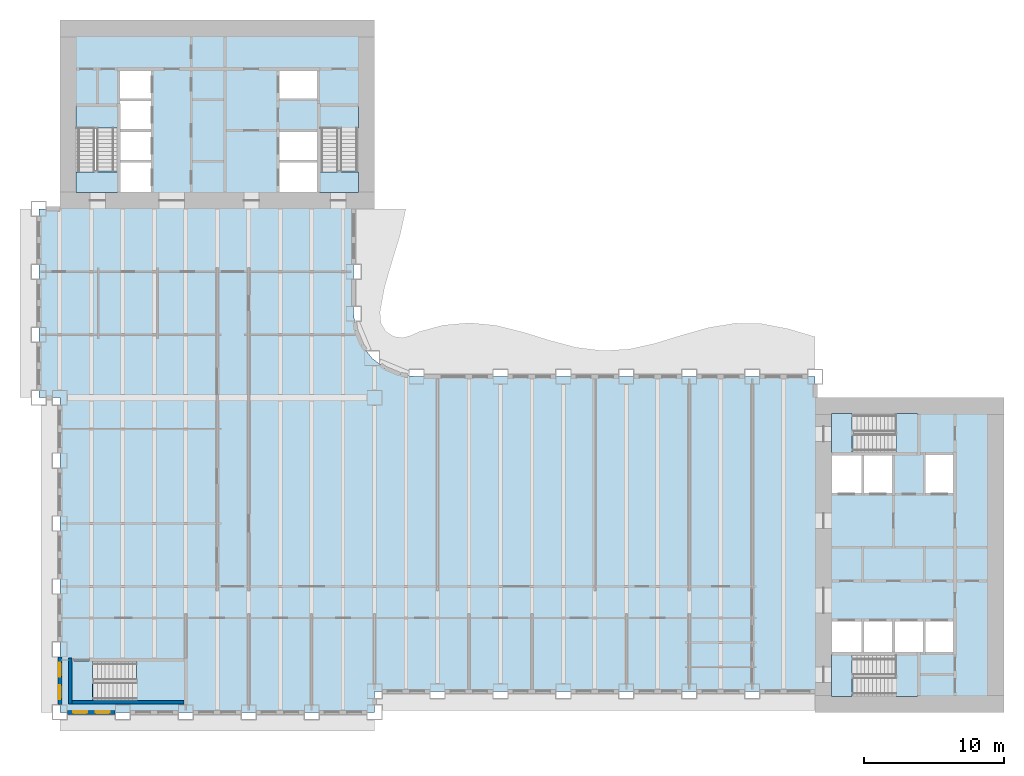
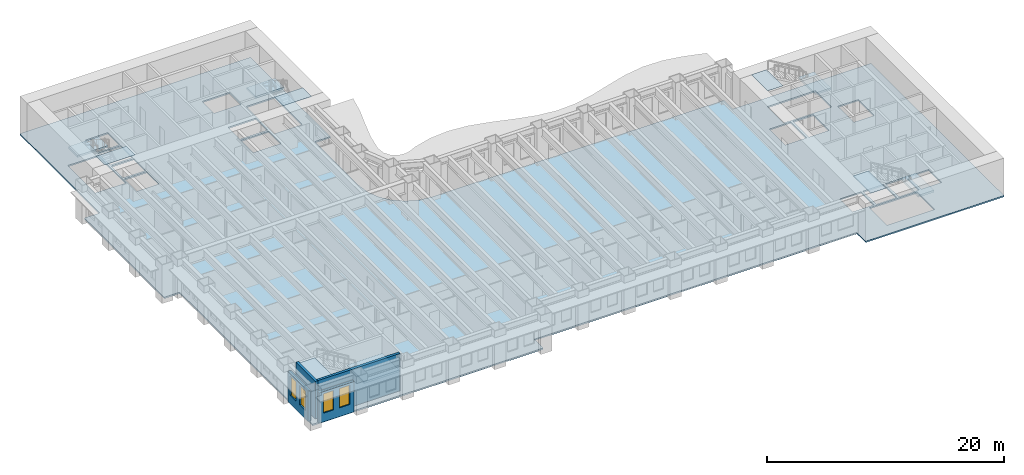
# One storey, part 2 of 17: 11 slabs, 4 walls, 4 windows, 4 openings, 5 elements without a shape of their own.
"""IFC4 building model written with IfcOpenShell, lengths in metres."""

from ifc_helpers import new_model, si_unit, direction, frame, frame_2d, origin, place, context, subcontext, project, spatial, polyline, rectangle, outline, extrude, material, layer, layer_set, type_object, element, fill, aggregate, save


model = new_model("IFC4")

# Units and contexts
model_context = context("Model", 3, precision=1e-05, world=origin(), true_north=direction((0.0, 1.0)))
body_context = subcontext(model_context, "Body", "Model", "MODEL_VIEW")
ifc_project = project(units=[si_unit("LENGTHUNIT", "METRE"), si_unit("AREAUNIT", "SQUARE_METRE"), si_unit("VOLUMEUNIT", "CUBIC_METRE"), si_unit("PLANEANGLEUNIT", "RADIAN"), si_unit("MASSUNIT", "GRAM", prefix="KILO")], contexts=[model_context])

# Site, building, storey
site_placement = place(None, origin())
site = spatial("IfcSite", under=ifc_project, at=site_placement, CompositionType="ELEMENT")
building_placement = place(site_placement, origin())
building = spatial("IfcBuilding", under=site, at=building_placement, Name="Sennacour Bend Tower", CompositionType="ELEMENT")
storey_placement = place(building_placement, frame((0.0, 0.0, 49.0)))
storey = spatial("IfcBuildingStorey", under=building, at=storey_placement, Name="L10", CompositionType="ELEMENT", Elevation=49.0)

# Slabs
ifc_material_1 = material(Name="Concrete C30/37", Category="concrete")
ifc_layer_1 = layer(ifc_material_1, 0.14990234375, Name="Concrete C30/37", Category="concrete")
ifc_layer_set_1 = layer_set([ifc_layer_1], Name="Concrete C30/37")
slab_type_1 = type_object("IfcSlabType", Name="Floor slab 150", PredefinedType="FLOOR", material=ifc_layer_set_1)
slab_1_placement = place(storey_placement, frame((0.0, 0.0, -0.14990234375)))
element("IfcSlab", 1, at=slab_1_placement, inside=storey, type_object=slab_type_1, Name="Floor slab L10-01", PredefinedType="FLOOR", context=body_context, shape_type="SweptSolid", body=[
    extrude(outline(polyline([(0.0, 22.5), (-1.5, 22.5), (-1.5, 36.0), (0.0, 36.0), (0.0, 49.5), (22.5, 49.5), (22.5, 36.0), (21.0, 36.0), (21.0, 28.5), (21.1533203125, 27.335205078125), (21.602783203125, 26.25), (22.318115234375, 25.318115234375), (23.25, 24.602783203125), (24.335205078125, 24.1533203125), (25.5, 24.0), (54.0, 24.0), (54.0, 22.5), (67.5, 22.5), (67.5, 0.0), (54.0, 0.0), (54.0, 1.5), (22.5, 1.5), (22.5, 0.0), (0.0, 0.0), (0.0, 22.5)]), holes=[polyline([(8.800048828125, 0.949951171875), (8.800048828125, 3.5), (2.429931640625, 3.5), (2.429931640625, 0.949951171875), (8.800048828125, 0.949951171875)]), polyline([(6.5, 37.199951171875), (6.5, 39.300048828125), (4.300048828125, 39.300048828125), (4.300048828125, 37.199951171875), (6.5, 37.199951171875)]), polyline([(18.39990234375, 37.199951171875), (18.39990234375, 39.300048828125), (15.699951171875, 39.300048828125), (15.699951171875, 37.199951171875), (18.39990234375, 37.199951171875)]), polyline([(6.5, 39.5), (6.5, 41.5), (4.300048828125, 41.5), (4.300048828125, 39.5), (6.5, 39.5)]), polyline([(18.39990234375, 39.5), (18.39990234375, 41.5), (15.699951171875, 41.5), (15.699951171875, 39.5), (18.39990234375, 39.5)]), polyline([(4.125, 38.72998046875), (4.125, 43.39990234375), (1.14990234375, 43.39990234375), (1.14990234375, 38.72998046875), (4.125, 38.72998046875)]), polyline([(21.35009765625, 38.72998046875), (21.35009765625, 43.39990234375), (18.574951171875, 43.39990234375), (18.574951171875, 38.72998046875), (21.35009765625, 38.72998046875)]), polyline([(4.300048828125, 41.699951171875), (6.5, 41.699951171875), (6.5, 43.699951171875), (4.300048828125, 43.699951171875), (4.300048828125, 41.699951171875)]), polyline([(4.300048828125, 43.89990234375), (6.5, 43.89990234375), (6.5, 45.89990234375), (4.300048828125, 45.89990234375), (4.300048828125, 43.89990234375)]), polyline([(18.39990234375, 43.89990234375), (18.39990234375, 45.89990234375), (15.699951171875, 45.89990234375), (15.699951171875, 43.89990234375), (18.39990234375, 43.89990234375)]), polyline([(61.39990234375, 1.14990234375), (61.39990234375, 4.125), (56.72998046875, 4.125), (56.72998046875, 1.14990234375), (61.39990234375, 1.14990234375)]), polyline([(57.300048828125, 4.300048828125), (57.300048828125, 6.5), (55.199951171875, 6.5), (55.199951171875, 4.300048828125), (57.300048828125, 4.300048828125)]), polyline([(57.5, 4.300048828125), (59.5, 4.300048828125), (59.5, 6.5), (57.5, 6.5), (57.5, 4.300048828125)]), polyline([(59.699951171875, 4.300048828125), (61.699951171875, 4.300048828125), (61.699951171875, 6.5), (59.699951171875, 6.5), (59.699951171875, 4.300048828125)]), polyline([(63.89990234375, 4.300048828125), (63.89990234375, 6.5), (61.89990234375, 6.5), (61.89990234375, 4.300048828125), (63.89990234375, 4.300048828125)]), polyline([(57.300048828125, 15.699951171875), (57.300048828125, 18.39990234375), (55.199951171875, 18.39990234375), (55.199951171875, 15.699951171875), (57.300048828125, 15.699951171875)]), polyline([(59.5, 15.699951171875), (59.5, 18.39990234375), (57.5, 18.39990234375), (57.5, 15.699951171875), (59.5, 15.699951171875)]), polyline([(61.89990234375, 15.699951171875), (63.89990234375, 15.699951171875), (63.89990234375, 18.39990234375), (61.89990234375, 18.39990234375), (61.89990234375, 15.699951171875)]), polyline([(56.72998046875, 18.574951171875), (61.39990234375, 18.574951171875), (61.39990234375, 21.35009765625), (56.72998046875, 21.35009765625), (56.72998046875, 18.574951171875)])]), origin(), (0.0, 0.0, 1.0), 0.14990234375),
])
ifc_material_2 = material(Name="Concrete C40/50", Category="concrete")
ifc_layer_2 = layer(ifc_material_2, 0.034912109375, Name="Concrete C40/50", Category="concrete")
ifc_layer_set_2 = layer_set([ifc_layer_2], Name="Concrete C40/50")
slab_type_2 = type_object("IfcSlabType", Name="Stair arrival nib 35", PredefinedType="FLOOR", material=ifc_layer_set_2)
slab_2_placement = place(storey_placement, frame((0.0, 0.0, 3.815185546875)))
element("IfcSlab", 2, at=slab_2_placement, inside=storey, type_object=slab_type_2, Name="L10 SA1 stair arrival nib", PredefinedType="FLOOR", context=body_context, shape_type="SweptSolid", body=[
    extrude(outline(polyline([(56.64208984375, 4.125), (55.14990234375, 4.125), (55.14990234375, 1.14990234375), (56.64208984375, 1.14990234375), (56.64208984375, 4.125)])), origin(), (0.0, 0.0, 1.0), 0.034912109375),
])
slab_3_placement = place(storey_placement, frame((0.0, 0.0, 3.815185546875)))
element("IfcSlab", 3, at=slab_3_placement, inside=storey, type_object=slab_type_2, Name="L10 SA2 stair arrival nib", PredefinedType="FLOOR", context=body_context, shape_type="SweptSolid", body=[
    extrude(outline(polyline([(56.64208984375, 21.35009765625), (55.14990234375, 21.35009765625), (55.14990234375, 18.574951171875), (56.64208984375, 18.574951171875), (56.64208984375, 21.35009765625)])), origin(), (0.0, 0.0, 1.0), 0.034912109375),
])
slab_4_placement = place(storey_placement, frame((0.0, 0.0, 3.815185546875)))
element("IfcSlab", 4, at=slab_4_placement, inside=storey, type_object=slab_type_2, Name="L10 SB1 stair arrival nib", PredefinedType="FLOOR", context=body_context, shape_type="SweptSolid", body=[
    extrude(outline(polyline([(1.14990234375, 38.64208984375), (1.14990234375, 37.14990234375), (4.125, 37.14990234375), (4.125, 38.64208984375), (1.14990234375, 38.64208984375)])), origin(), (0.0, 0.0, 1.0), 0.034912109375),
])
slab_5_placement = place(storey_placement, frame((0.0, 0.0, 3.815185546875)))
element("IfcSlab", 5, at=slab_5_placement, inside=storey, type_object=slab_type_2, Name="L10 SB2 stair arrival nib", PredefinedType="FLOOR", context=body_context, shape_type="SweptSolid", body=[
    extrude(outline(polyline([(18.574951171875, 38.64208984375), (18.574951171875, 37.14990234375), (21.35009765625, 37.14990234375), (21.35009765625, 38.64208984375), (18.574951171875, 38.64208984375)])), origin(), (0.0, 0.0, 1.0), 0.034912109375),
])
slab_6_placement = place(storey_placement, frame((0.0, 0.0, 3.815185546875)))
element("IfcSlab", 6, at=slab_6_placement, inside=storey, type_object=slab_type_2, Name="L10 SK1 stair arrival nib", PredefinedType="FLOOR", context=body_context, shape_type="SweptSolid", body=[
    extrude(outline(polyline([(2.342041015625, 3.675048828125), (0.800048828125, 3.675048828125), (0.800048828125, 0.800048828125), (2.342041015625, 0.800048828125), (2.342041015625, 3.675048828125)])), origin(), (0.0, 0.0, 1.0), 0.034912109375),
])

# Stair, slab
stair_type = type_object("IfcStairType", Name="ST-DOGLEG", PredefinedType="HALF_TURN_STAIR", material=ifc_material_2)
stair_1_placement = place(storey_placement, origin())
stair_1 = element("IfcStair", 7, at=stair_1_placement, inside=storey, type_object=stair_type, Name="L10 Exit stair A1", PredefinedType="HALF_TURN_STAIR")
ifc_layer_3 = layer(ifc_material_2, 0.199951171875, Name="Concrete C40/50", Category="concrete")
ifc_layer_set_3 = layer_set([ifc_layer_3], Name="Concrete C40/50")
slab_type_3 = type_object("IfcSlabType", Name="Stair landing 200", PredefinedType="LANDING", material=ifc_layer_set_3)
slab_7_placement = place(storey_placement, frame((0.0, 0.0, 1.800048828125)))
slab_7 = element("IfcSlab", 8, at=slab_7_placement, type_object=slab_type_3, Name="SA1 landing 1", PredefinedType="LANDING", context=body_context, shape_type="SweptSolid", body=[
    extrude(outline(polyline([(59.780029296875, 1.14990234375), (61.324951171875, 1.14990234375), (61.324951171875, 4.125), (59.780029296875, 4.125), (59.780029296875, 1.14990234375)])), origin(), (0.0, 0.0, 1.0), 0.199951171875),
])
aggregate(stair_1, [slab_7])

stair_2_placement = place(storey_placement, origin())
stair_2 = element("IfcStair", 9, at=stair_2_placement, inside=storey, type_object=stair_type, Name="L10 Exit stair A2", PredefinedType="HALF_TURN_STAIR")
slab_8_placement = place(storey_placement, frame((0.0, 0.0, 1.800048828125)))
slab_8 = element("IfcSlab", 10, at=slab_8_placement, type_object=slab_type_3, Name="SA2 landing 1", PredefinedType="LANDING", context=body_context, shape_type="SweptSolid", body=[
    extrude(outline(polyline([(59.780029296875, 18.574951171875), (61.324951171875, 18.574951171875), (61.324951171875, 21.35009765625), (59.780029296875, 21.35009765625), (59.780029296875, 18.574951171875)])), origin(), (0.0, 0.0, 1.0), 0.199951171875),
])
aggregate(stair_2, [slab_8])

stair_3_placement = place(storey_placement, origin())
stair_3 = element("IfcStair", 11, at=stair_3_placement, inside=storey, type_object=stair_type, Name="L10 Exit stair B1", PredefinedType="HALF_TURN_STAIR")
slab_9_placement = place(storey_placement, frame((0.0, 0.0, 1.800048828125)))
slab_9 = element("IfcSlab", 12, at=slab_9_placement, type_object=slab_type_3, Name="SB1 landing 1", PredefinedType="LANDING", context=body_context, shape_type="SweptSolid", body=[
    extrude(outline(polyline([(1.14990234375, 41.780029296875), (4.125, 41.780029296875), (4.125, 43.324951171875), (1.14990234375, 43.324951171875), (1.14990234375, 41.780029296875)])), origin(), (0.0, 0.0, 1.0), 0.199951171875),
])
aggregate(stair_3, [slab_9])

stair_4_placement = place(storey_placement, origin())
stair_4 = element("IfcStair", 13, at=stair_4_placement, inside=storey, type_object=stair_type, Name="L10 Exit stair B2", PredefinedType="HALF_TURN_STAIR")
slab_10_placement = place(storey_placement, frame((0.0, 0.0, 1.800048828125)))
slab_10 = element("IfcSlab", 14, at=slab_10_placement, type_object=slab_type_3, Name="SB2 landing 1", PredefinedType="LANDING", context=body_context, shape_type="SweptSolid", body=[
    extrude(outline(polyline([(18.574951171875, 41.780029296875), (21.35009765625, 41.780029296875), (21.35009765625, 43.324951171875), (18.574951171875, 43.324951171875), (18.574951171875, 41.780029296875)])), origin(), (0.0, 0.0, 1.0), 0.199951171875),
])
aggregate(stair_4, [slab_10])

stair_5_placement = place(storey_placement, origin())
stair_5 = element("IfcStair", 15, at=stair_5_placement, inside=storey, type_object=stair_type, Name="L10 Exit stair K1", PredefinedType="HALF_TURN_STAIR")
slab_11_placement = place(storey_placement, frame((0.0, 0.0, 1.800048828125)))
slab_11 = element("IfcSlab", 16, at=slab_11_placement, type_object=slab_type_3, Name="SK1 landing 1", PredefinedType="LANDING", context=body_context, shape_type="SweptSolid", body=[
    extrude(outline(polyline([(5.47998046875, 0.800048828125), (8.925048828125, 0.800048828125), (8.925048828125, 3.675048828125), (5.47998046875, 3.675048828125), (5.47998046875, 0.800048828125)])), origin(), (0.0, 0.0, 1.0), 0.199951171875),
])
aggregate(stair_5, [slab_11])

# Wall, openings, windows
ifc_material_3 = material(Name="Warm limestone cladding", Category="masonry")
ifc_layer_4 = layer(ifc_material_3, 0.050048828125, Name="Warm limestone cladding", Category="masonry")
ifc_material_4 = material(Name="Precast concrete C40/50", Category="concrete")
ifc_layer_5 = layer(ifc_material_4, 0.25, Name="Precast concrete C40/50", Category="concrete")
ifc_layer_set_4 = layer_set([ifc_layer_4, ifc_layer_5], Name="Precast concrete C40/50 with limestone cladding")
wall_type_1 = type_object("IfcWallType", Name="STONE-CLAD PRECAST SPANDREL 300", PredefinedType="STANDARD", material=ifc_layer_set_4)
wall_1_placement = place(storey_placement, frame((0.550048828125, 0.0, 0.0), z_axis=(0.0, 0.0, 1.0), x_axis=(1.0, 0.0, 0.0)))
wall_1 = element("IfcWall", 17, at=wall_1_placement, inside=storey, type_object=wall_type_1, Name="Stone spandrel and pier wall L10 00.00", PredefinedType="STANDARD", context=body_context, shape_type="SweptSolid", body=[
    extrude(rectangle(XDim=3.39990234375, YDim=0.300048828125, at=frame_2d((1.699951171875, 0.0))), origin(), (0.0, 0.0, 1.0), 3.14404296875),
])
opening_1_placement = place(wall_1_placement, frame((0.39990234375, 0.0, 0.89990234375)))
opening_1 = element("IfcOpeningElement", 18, at=opening_1_placement, cuts=wall_1, Name="Opening W8", PredefinedType="OPENING", context=body_context, shape_type="SweptSolid", body=[
    extrude(rectangle(XDim=1.0, YDim=2.0, at=frame_2d((0.5, 1.0))), frame((0.0, 0.16015625, 0.0), z_axis=(0.0, -1.0, 0.0), x_axis=(1.0, 0.0, 0.0)), (0.0, 0.0, 1.0), 0.320068359375),
])
opening_2_placement = place(wall_1_placement, frame((2.0, 0.0, 0.89990234375)))
opening_2 = element("IfcOpeningElement", 19, at=opening_2_placement, cuts=wall_1, Name="Opening W8", PredefinedType="OPENING", context=body_context, shape_type="SweptSolid", body=[
    extrude(rectangle(XDim=1.0, YDim=2.0, at=frame_2d((0.5, 1.0))), frame((0.0, 0.16015625, 0.0), z_axis=(0.0, -1.0, 0.0), x_axis=(1.0, 0.0, 0.0)), (0.0, 0.0, 1.0), 0.320068359375),
])
ifc_material_5 = material(Name="Clear low-emissivity glass", Category="glass")
window_type = type_object("IfcWindowType", Name="WIN-RIBBON-1000x2000", PartitioningType="SINGLE_PANEL", PredefinedType="WINDOW", material=ifc_material_5)
window_1_placement = place(opening_1_placement, origin())
window_1 = element("IfcWindow", 20, at=window_1_placement, inside=storey, type_object=window_type, Name="Ribbon window L10 00.00.0", OverallHeight=2.0, OverallWidth=1.0, PartitioningType="SINGLE_PANEL", PredefinedType="WINDOW", context=body_context, shape_type="SweptSolid", body=[
    extrude(rectangle(XDim=1.0, YDim=2.0, at=frame_2d((0.5, 1.0))), frame((0.0, 0.030029296875, 0.0), z_axis=(0.0, -1.0, 0.0), x_axis=(1.0, 0.0, 0.0)), (0.0, 0.0, 1.0), 0.06005859375),
])
fill(opening_1, window_1)
window_2_placement = place(opening_2_placement, origin())
window_2 = element("IfcWindow", 21, at=window_2_placement, inside=storey, type_object=window_type, Name="Ribbon window L10 00.00.1", OverallHeight=2.0, OverallWidth=1.0, PartitioningType="SINGLE_PANEL", PredefinedType="WINDOW", context=body_context, shape_type="SweptSolid", body=[
    extrude(rectangle(XDim=1.0, YDim=2.0, at=frame_2d((0.5, 1.0))), frame((0.0, 0.030029296875, 0.0), z_axis=(0.0, -1.0, 0.0), x_axis=(1.0, 0.0, 0.0)), (0.0, 0.0, 1.0), 0.06005859375),
])
fill(opening_2, window_2)

wall_2_placement = place(storey_placement, frame((0.0, 3.949951171875, 0.0), z_axis=(0.0, 0.0, 1.0), x_axis=(0.0, -1.0, 0.0)))
wall_2 = element("IfcWall", 22, at=wall_2_placement, inside=storey, type_object=wall_type_1, Name="Stone spandrel and pier wall L10 23.04", PredefinedType="STANDARD", context=body_context, shape_type="SweptSolid", body=[
    extrude(rectangle(XDim=3.39990234375, YDim=0.300048828125, at=frame_2d((1.699951171875, 0.0))), origin(), (0.0, 0.0, 1.0), 3.14404296875),
])
opening_3_placement = place(wall_2_placement, frame((0.39990234375, 0.0, 0.89990234375)))
opening_3 = element("IfcOpeningElement", 23, at=opening_3_placement, cuts=wall_2, Name="Opening W8", PredefinedType="OPENING", context=body_context, shape_type="SweptSolid", body=[
    extrude(rectangle(XDim=1.0, YDim=2.0, at=frame_2d((0.5, 1.0))), frame((0.0, 0.16015625, 0.0), z_axis=(0.0, -1.0, 0.0), x_axis=(1.0, 0.0, 0.0)), (0.0, 0.0, 1.0), 0.320068359375),
])
opening_4_placement = place(wall_2_placement, frame((2.0, 0.0, 0.89990234375)))
opening_4 = element("IfcOpeningElement", 24, at=opening_4_placement, cuts=wall_2, Name="Opening W8", PredefinedType="OPENING", context=body_context, shape_type="SweptSolid", body=[
    extrude(rectangle(XDim=1.0, YDim=2.0, at=frame_2d((0.5, 1.0))), frame((0.0, 0.16015625, 0.0), z_axis=(0.0, -1.0, 0.0), x_axis=(1.0, 0.0, 0.0)), (0.0, 0.0, 1.0), 0.320068359375),
])
window_3_placement = place(opening_3_placement, origin())
window_3 = element("IfcWindow", 25, at=window_3_placement, inside=storey, type_object=window_type, Name="Ribbon window L10 23.04.0", OverallHeight=2.0, OverallWidth=1.0, PartitioningType="SINGLE_PANEL", PredefinedType="WINDOW", context=body_context, shape_type="SweptSolid", body=[
    extrude(rectangle(XDim=1.0, YDim=2.0, at=frame_2d((0.5, 1.0))), frame((0.0, 0.030029296875, 0.0), z_axis=(0.0, -1.0, 0.0), x_axis=(1.0, 0.0, 0.0)), (0.0, 0.0, 1.0), 0.06005859375),
])
fill(opening_3, window_3)
window_4_placement = place(opening_4_placement, origin())
window_4 = element("IfcWindow", 26, at=window_4_placement, inside=storey, type_object=window_type, Name="Ribbon window L10 23.04.1", OverallHeight=2.0, OverallWidth=1.0, PartitioningType="SINGLE_PANEL", PredefinedType="WINDOW", context=body_context, shape_type="SweptSolid", body=[
    extrude(rectangle(XDim=1.0, YDim=2.0, at=frame_2d((0.5, 1.0))), frame((0.0, 0.030029296875, 0.0), z_axis=(0.0, -1.0, 0.0), x_axis=(1.0, 0.0, 0.0)), (0.0, 0.0, 1.0), 0.06005859375),
])
fill(opening_4, window_4)

# Walls
ifc_material_6 = material(Name="Concrete C60/75", Category="concrete")
ifc_layer_6 = layer(ifc_material_6, 0.25, Name="Concrete C60/75", Category="concrete")
ifc_layer_set_5 = layer_set([ifc_layer_6], Name="Concrete C60/75")
wall_type_2 = type_object("IfcWallType", Name="Stair wall 250", PredefinedType="SHEAR", material=ifc_layer_set_5)
wall_3_placement = place(storey_placement, frame((0.72509765625, 0.60009765625, 0.0), z_axis=(0.0, 0.0, 1.0), x_axis=(0.0, 1.0, 0.0)))
element("IfcWall", 27, at=wall_3_placement, inside=storey, type_object=wall_type_2, Name="P-L10-W003", PredefinedType="SHEAR", context=body_context, shape_type="SweptSolid", body=[
    extrude(rectangle(XDim=3.27490234375, YDim=0.25, at=frame_2d((1.637451171875, 0.0))), origin(), (0.0, 0.0, 1.0), 3.85009765625),
])
wall_4_placement = place(storey_placement, frame((0.85009765625, 0.72509765625, 0.0), z_axis=(0.0, 0.0, 1.0), x_axis=(1.0, 0.0, 0.0)))
element("IfcWall", 28, at=wall_4_placement, inside=storey, type_object=wall_type_2, Name="P-L10-W051", PredefinedType="SHEAR", context=body_context, shape_type="SweptSolid", body=[
    extrude(rectangle(XDim=8.02490234375, YDim=0.25, at=frame_2d((4.012451171875, 0.0))), origin(), (0.0, 0.0, 1.0), 3.85009765625),
])

save(model, "model.ifc")
